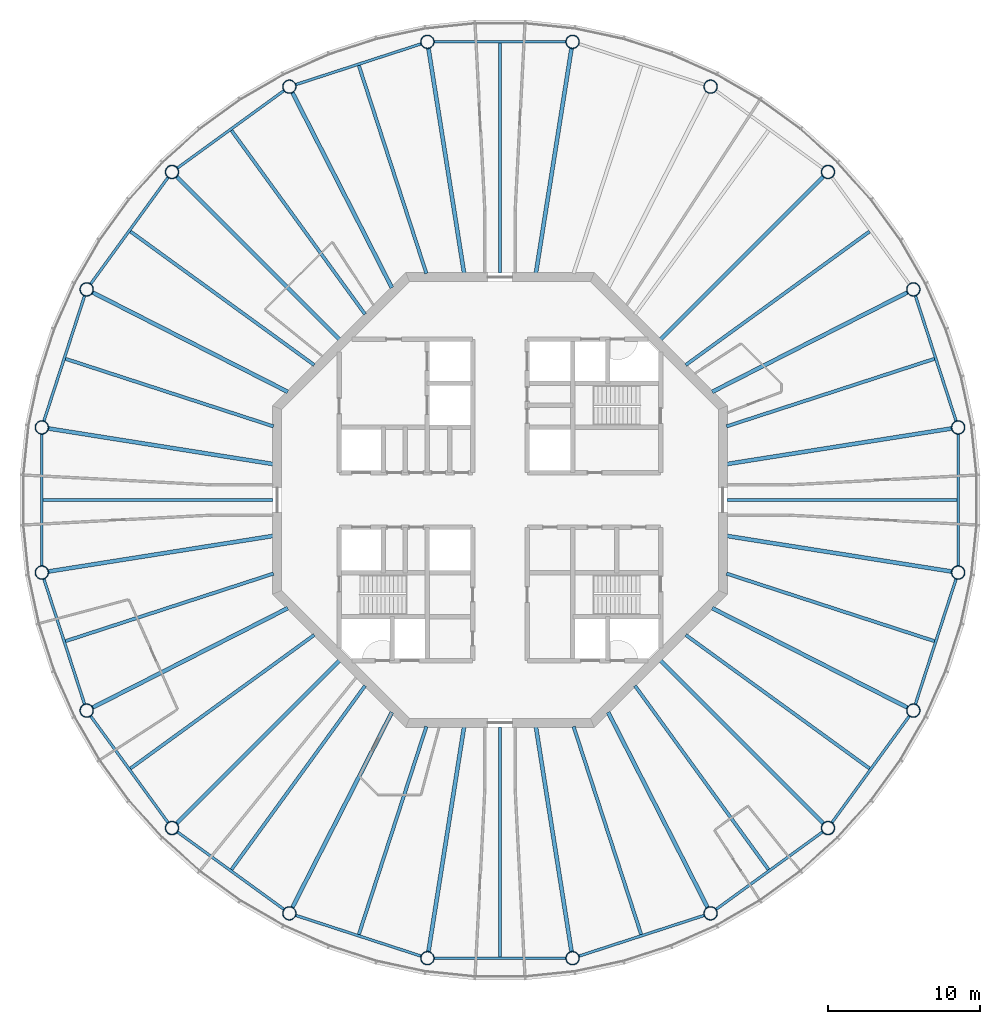
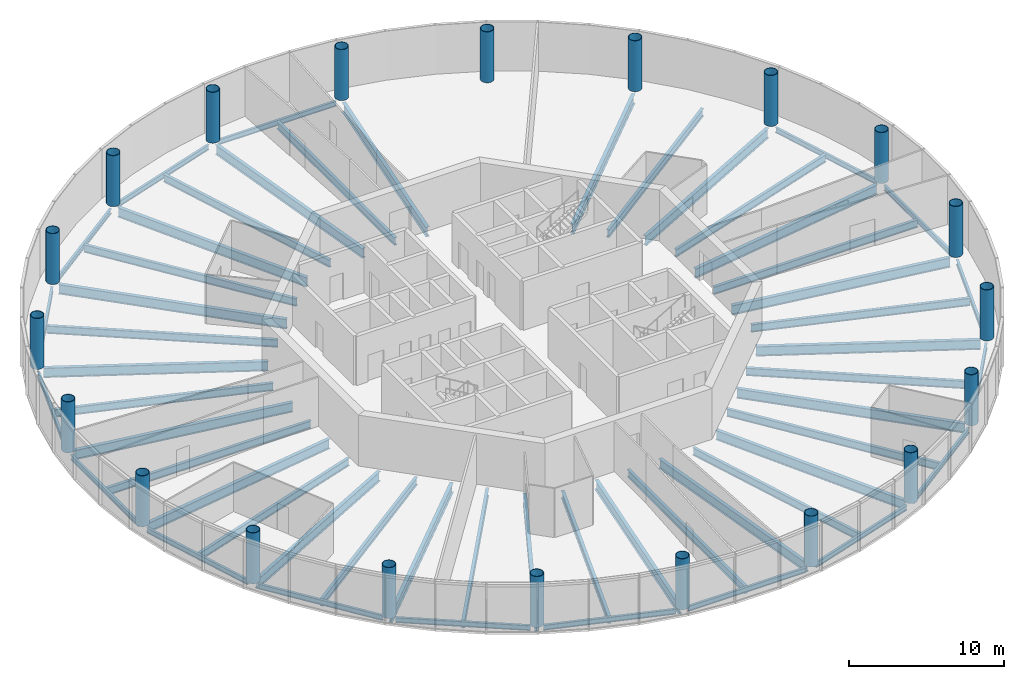
# One storey, part 1 of 13: 54 beams, 20 columns.
"""IFC4 building model written with IfcOpenShell, lengths in metres."""

from ifc_helpers import new_model, si_unit, direction, frame, origin, origin_2d, place, context, subcontext, project, spatial, circle, hollow_circle, i_section, extrude, material, material_profile, profile_set, type_object, element, save


model = new_model("IFC4")

# Units and contexts
model_context = context("Model", 3, precision=1e-05, world=origin(), true_north=direction((0.0, 1.0)))
body_context = subcontext(model_context, "Body", "Model", "MODEL_VIEW")
ifc_project = project(units=[si_unit("LENGTHUNIT", "METRE"), si_unit("AREAUNIT", "SQUARE_METRE"), si_unit("VOLUMEUNIT", "CUBIC_METRE"), si_unit("PLANEANGLEUNIT", "RADIAN"), si_unit("MASSUNIT", "GRAM", prefix="KILO")], contexts=[model_context])

# Site, building, storey
site_placement = place(None, origin())
site = spatial("IfcSite", under=ifc_project, at=site_placement, CompositionType="ELEMENT")
building_placement = place(site_placement, origin())
building = spatial("IfcBuilding", under=site, at=building_placement, Name="Entoto Ring Tower", CompositionType="ELEMENT")
storey_placement = place(building_placement, frame((0.0, 0.0, 376.0)))
storey = spatial("IfcBuildingStorey", under=building, at=storey_placement, Name="L87", CompositionType="ELEMENT", Elevation=376.0)

# Columns
ifc_material_1 = material(Name="Steel S355", Category="steel")
ifc_material_profile_1 = material_profile(ifc_material_1, hollow_circle(Radius=0.449951171875, WallThickness=0.0400390625, at=origin_2d()), Name="CHS 900 x 40")
ifc_material_2 = material(Name="Concrete C60/75", Category="concrete")
ifc_material_profile_2 = material_profile(ifc_material_2, circle(Radius=0.409912109375, at=origin_2d()), Name="Concrete C60/75 infill")
ifc_profile_set_1 = profile_set([ifc_material_profile_1, ifc_material_profile_2], Name="Steel S355")
column_type = type_object("IfcColumnType", Name="Ring column 900 x 40 concrete-filled tube", PredefinedType="COLUMN", material=ifc_profile_set_1)
for number, where, z_axis, x_axis, name in (
    (1, (120.22314453125, 84.786865234375, 0.0), (0.0, 0.0, 1.0), (1.0, 0.0, 0.0), "RC6 R01"),
    (2, (117.264892578125, 93.89208984375, 0.0), (0.0, 0.0, 1.0), (1.0, 0.0, 0.0), "RC6 R02"),
    (3, (111.637451171875, 101.637451171875, 0.0), (0.0, 0.0, 1.0), (1.0, 0.0, 0.0), "RC6 R03"),
    (4, (103.89208984375, 107.264892578125, 0.0), (0.0, 0.0, 1.0), (1.0, 0.0, 0.0), "RC6 R04"),
    (5, (94.786865234375, 110.22314453125, 0.0), (0.0, 0.0, 1.0), (1.0, 0.0, 0.0), "RC6 R05"),
    (6, (85.213134765625, 110.22314453125, 0.0), (0.0, 0.0, 1.0), (1.0, 0.0, 0.0), "RC6 R06"),
    (7, (76.10791015625, 107.264892578125, 0.0), (0.0, 0.0, 1.0), (1.0, 0.0, 0.0), "RC6 R07"),
    (8, (68.362548828125, 101.637451171875, 0.0), (0.0, 0.0, 1.0), (1.0, 0.0, 0.0), "RC6 R08"),
    (9, (62.735107421875, 93.89208984375, 0.0), (0.0, 0.0, 1.0), (1.0, 0.0, 0.0), "RC6 R09"),
    (10, (59.77685546875, 84.786865234375, 0.0), (0.0, 0.0, 1.0), (1.0, 0.0, 0.0), "RC6 R10"),
    (11, (59.77685546875, 75.213134765625, 0.0), (0.0, 0.0, 1.0), (1.0, 0.0, 0.0), "RC6 R11"),
    (12, (62.735107421875, 66.10791015625, 0.0), (0.0, 0.0, 1.0), (1.0, 0.0, 0.0), "RC6 R12"),
    (13, (68.362548828125, 58.362548828125, 0.0), (0.0, 0.0, 1.0), (1.0, 0.0, 0.0), "RC6 R13"),
    (14, (76.10791015625, 52.735107421875, 0.0), (0.0, 0.0, 1.0), (1.0, 0.0, 0.0), "RC6 R14"),
    (15, (85.213134765625, 49.77685546875, 0.0), (0.0, 0.0, 1.0), (1.0, 0.0, 0.0), "RC6 R15"),
    (16, (94.786865234375, 49.77685546875, 0.0), (0.0, 0.0, 1.0), (1.0, 0.0, 0.0), "RC6 R16"),
    (17, (103.89208984375, 52.735107421875, 0.0), (0.0, 0.0, 1.0), (1.0, 0.0, 0.0), "RC6 R17"),
    (18, (111.637451171875, 58.362548828125, 0.0), (0.0, 0.0, 1.0), (1.0, 0.0, 0.0), "RC6 R18"),
    (19, (117.264892578125, 66.10791015625, 0.0), (0.0, 0.0, 1.0), (1.0, 0.0, 0.0), "RC6 R19"),
    (20, (120.22314453125, 75.213134765625, 0.0), (0.0, 0.0, 1.0), (1.0, 0.0, 0.0), "RC6 R20"),
):
    element("IfcColumn", number, at=place(storey_placement, frame(where, z_axis=z_axis, x_axis=x_axis)), inside=storey, type_object=column_type, Name=name, PredefinedType="COLUMN", context=body_context, shape_type="SweptSolid", body=[
        extrude(hollow_circle(Radius=0.449951171875, WallThickness=0.0400390625, at=origin_2d()), origin(), (0.0, 0.0, 1.0), 4.0),
    ])

# Beams
ifc_material_3 = material(Name="Steel S355", Category="steel")
ifc_material_profile_3 = material_profile(ifc_material_3, i_section(OverallWidth=0.179931640625, OverallDepth=0.39990234375, WebThickness=0.008544921875, FlangeThickness=0.013427734375, FilletRadius=0.02099609375, at=origin_2d()), Name="IPE 400")
ifc_profile_set_2 = profile_set([ifc_material_profile_3], Name="Steel S355")
beam_type_1 = type_object("IfcBeamType", Name="Edge beam IPE 400", PredefinedType="SPANDREL", material=ifc_profile_set_2)
beam_1_placement = place(storey_placement, frame((120.09326171875, 85.187255859375, -0.35009765625), z_axis=(-0.309030438368, 0.951052147972, 0.0), x_axis=(-0.951052147972, -0.309030438368, 0.0)))
element("IfcBeam", 21, at=beam_1_placement, inside=storey, type_object=beam_type_1, Name="Edge beam L87 01", PredefinedType="SPANDREL", context=body_context, shape_type="SweptSolid", body=[
    extrude(i_section(OverallWidth=0.179931640625, OverallDepth=0.39990234375, WebThickness=0.008544921875, FlangeThickness=0.013427734375, FilletRadius=0.02099609375, at=origin_2d()), origin(), (0.0, 0.0, 1.0), 8.732177734375),
])
beam_2_placement = place(storey_placement, frame((94.365966796875, 110.22314453125, -0.35009765625), z_axis=(-1.0, 0.0, 0.0), x_axis=(0.0, -1.0, 0.0)))
element("IfcBeam", 22, at=beam_2_placement, inside=storey, type_object=beam_type_1, Name="Edge beam L87 05", PredefinedType="SPANDREL", context=body_context, shape_type="SweptSolid", body=[
    extrude(i_section(OverallWidth=0.179931640625, OverallDepth=0.39990234375, WebThickness=0.008544921875, FlangeThickness=0.013427734375, FilletRadius=0.02099609375, at=origin_2d()), origin(), (0.0, 0.0, 1.0), 8.73193359375),
])
beam_3_placement = place(storey_placement, frame((84.812744140625, 110.09326171875, -0.35009765625), z_axis=(-0.951052147972, -0.309030438368, 0.0), x_axis=(0.309030438368, -0.951052147972, 0.0)))
element("IfcBeam", 23, at=beam_3_placement, inside=storey, type_object=beam_type_1, Name="Edge beam L87 06", PredefinedType="SPANDREL", context=body_context, shape_type="SweptSolid", body=[
    extrude(i_section(OverallWidth=0.179931640625, OverallDepth=0.39990234375, WebThickness=0.008544921875, FlangeThickness=0.013427734375, FilletRadius=0.02099609375, at=origin_2d()), origin(), (0.0, 0.0, 1.0), 8.732177734375),
])
for number, where, z_axis, x_axis, name in (
    (24, (75.767333984375, 107.017333984375, -0.35009765625), (-0.80901045354, -0.587794254874, 0.0), (0.587794254874, -0.80901045354, 0.0), "Edge beam L87 07"),
    (25, (68.115234375, 101.296875, -0.35009765625), (-0.587794254874, -0.80901045354, 0.0), (0.80901045354, -0.587794254874, 0.0), "Edge beam L87 08"),
):
    element("IfcBeam", number, at=place(storey_placement, frame(where, z_axis=z_axis, x_axis=x_axis)), inside=storey, type_object=beam_type_1, Name=name, PredefinedType="SPANDREL", context=body_context, shape_type="SweptSolid", body=[
        extrude(i_section(OverallWidth=0.179931640625, OverallDepth=0.39990234375, WebThickness=0.008544921875, FlangeThickness=0.013427734375, FilletRadius=0.02099609375, at=origin_2d()), origin(), (0.0, 0.0, 1.0), 8.73193359375),
    ])
beam_4_placement = place(storey_placement, frame((62.605224609375, 93.491943359375, -0.35009765625), z_axis=(-0.309030438368, -0.951052147972, 0.0), x_axis=(0.951052147972, -0.309030438368, 0.0)))
element("IfcBeam", 26, at=beam_4_placement, inside=storey, type_object=beam_type_1, Name="Edge beam L87 09", PredefinedType="SPANDREL", context=body_context, shape_type="SweptSolid", body=[
    extrude(i_section(OverallWidth=0.179931640625, OverallDepth=0.39990234375, WebThickness=0.008544921875, FlangeThickness=0.013427734375, FilletRadius=0.02099609375, at=origin_2d()), origin(), (0.0, 0.0, 1.0), 8.732177734375),
])
beam_5_placement = place(storey_placement, frame((59.77685546875, 84.365966796875, -0.35009765625), z_axis=(0.0, -1.0, 0.0), x_axis=(1.0, 0.0, 0.0)))
element("IfcBeam", 27, at=beam_5_placement, inside=storey, type_object=beam_type_1, Name="Edge beam L87 10", PredefinedType="SPANDREL", context=body_context, shape_type="SweptSolid", body=[
    extrude(i_section(OverallWidth=0.179931640625, OverallDepth=0.39990234375, WebThickness=0.008544921875, FlangeThickness=0.013427734375, FilletRadius=0.02099609375, at=origin_2d()), origin(), (0.0, 0.0, 1.0), 8.73193359375),
])
beam_6_placement = place(storey_placement, frame((59.90673828125, 74.812744140625, -0.35009765625), z_axis=(0.309030438368, -0.951052147972, 0.0), x_axis=(0.951052147972, 0.309030438368, 0.0)))
element("IfcBeam", 28, at=beam_6_placement, inside=storey, type_object=beam_type_1, Name="Edge beam L87 11", PredefinedType="SPANDREL", context=body_context, shape_type="SweptSolid", body=[
    extrude(i_section(OverallWidth=0.179931640625, OverallDepth=0.39990234375, WebThickness=0.008544921875, FlangeThickness=0.013427734375, FilletRadius=0.02099609375, at=origin_2d()), origin(), (0.0, 0.0, 1.0), 8.732177734375),
])
for number, where, z_axis, x_axis, name in (
    (29, (62.982666015625, 65.767333984375, -0.35009765625), (0.587794254874, -0.80901045354, 0.0), (0.80901045354, 0.587794254874, 0.0), "Edge beam L87 12"),
    (30, (68.703125, 58.115234375, -0.35009765625), (0.80901045354, -0.587794254874, 0.0), (0.587794254874, 0.80901045354, 0.0), "Edge beam L87 13"),
):
    element("IfcBeam", number, at=place(storey_placement, frame(where, z_axis=z_axis, x_axis=x_axis)), inside=storey, type_object=beam_type_1, Name=name, PredefinedType="SPANDREL", context=body_context, shape_type="SweptSolid", body=[
        extrude(i_section(OverallWidth=0.179931640625, OverallDepth=0.39990234375, WebThickness=0.008544921875, FlangeThickness=0.013427734375, FilletRadius=0.02099609375, at=origin_2d()), origin(), (0.0, 0.0, 1.0), 8.73193359375),
    ])
beam_7_placement = place(storey_placement, frame((76.508056640625, 52.605224609375, -0.35009765625), z_axis=(0.951052147972, -0.309030438368, 0.0), x_axis=(0.309030438368, 0.951052147972, 0.0)))
element("IfcBeam", 31, at=beam_7_placement, inside=storey, type_object=beam_type_1, Name="Edge beam L87 14", PredefinedType="SPANDREL", context=body_context, shape_type="SweptSolid", body=[
    extrude(i_section(OverallWidth=0.179931640625, OverallDepth=0.39990234375, WebThickness=0.008544921875, FlangeThickness=0.013427734375, FilletRadius=0.02099609375, at=origin_2d()), origin(), (0.0, 0.0, 1.0), 8.732177734375),
])
beam_8_placement = place(storey_placement, frame((85.634033203125, 49.77685546875, -0.35009765625), z_axis=(1.0, 0.0, 0.0), x_axis=(0.0, 1.0, 0.0)))
element("IfcBeam", 32, at=beam_8_placement, inside=storey, type_object=beam_type_1, Name="Edge beam L87 15", PredefinedType="SPANDREL", context=body_context, shape_type="SweptSolid", body=[
    extrude(i_section(OverallWidth=0.179931640625, OverallDepth=0.39990234375, WebThickness=0.008544921875, FlangeThickness=0.013427734375, FilletRadius=0.02099609375, at=origin_2d()), origin(), (0.0, 0.0, 1.0), 8.73193359375),
])
beam_9_placement = place(storey_placement, frame((95.187255859375, 49.90673828125, -0.35009765625), z_axis=(0.951052147972, 0.309030438368, 0.0), x_axis=(-0.309030438368, 0.951052147972, 0.0)))
element("IfcBeam", 33, at=beam_9_placement, inside=storey, type_object=beam_type_1, Name="Edge beam L87 16", PredefinedType="SPANDREL", context=body_context, shape_type="SweptSolid", body=[
    extrude(i_section(OverallWidth=0.179931640625, OverallDepth=0.39990234375, WebThickness=0.008544921875, FlangeThickness=0.013427734375, FilletRadius=0.02099609375, at=origin_2d()), origin(), (0.0, 0.0, 1.0), 8.732177734375),
])
for number, where, z_axis, x_axis, name in (
    (34, (104.232666015625, 52.982666015625, -0.35009765625), (0.80901045354, 0.587794254874, 0.0), (-0.587794254874, 0.80901045354, 0.0), "Edge beam L87 17"),
    (35, (111.884765625, 58.703125, -0.35009765625), (0.587794254874, 0.80901045354, 0.0), (-0.80901045354, 0.587794254874, 0.0), "Edge beam L87 18"),
):
    element("IfcBeam", number, at=place(storey_placement, frame(where, z_axis=z_axis, x_axis=x_axis)), inside=storey, type_object=beam_type_1, Name=name, PredefinedType="SPANDREL", context=body_context, shape_type="SweptSolid", body=[
        extrude(i_section(OverallWidth=0.179931640625, OverallDepth=0.39990234375, WebThickness=0.008544921875, FlangeThickness=0.013427734375, FilletRadius=0.02099609375, at=origin_2d()), origin(), (0.0, 0.0, 1.0), 8.73193359375),
    ])
beam_10_placement = place(storey_placement, frame((117.394775390625, 66.508056640625, -0.35009765625), z_axis=(0.309030438368, 0.951052147972, 0.0), x_axis=(-0.951052147972, 0.309030438368, 0.0)))
element("IfcBeam", 36, at=beam_10_placement, inside=storey, type_object=beam_type_1, Name="Edge beam L87 19", PredefinedType="SPANDREL", context=body_context, shape_type="SweptSolid", body=[
    extrude(i_section(OverallWidth=0.179931640625, OverallDepth=0.39990234375, WebThickness=0.008544921875, FlangeThickness=0.013427734375, FilletRadius=0.02099609375, at=origin_2d()), origin(), (0.0, 0.0, 1.0), 8.732177734375),
])
beam_11_placement = place(storey_placement, frame((120.22314453125, 75.634033203125, -0.35009765625), z_axis=(0.0, 1.0, 0.0), x_axis=(-1.0, 0.0, 0.0)))
element("IfcBeam", 37, at=beam_11_placement, inside=storey, type_object=beam_type_1, Name="Edge beam L87 20", PredefinedType="SPANDREL", context=body_context, shape_type="SweptSolid", body=[
    extrude(i_section(OverallWidth=0.179931640625, OverallDepth=0.39990234375, WebThickness=0.008544921875, FlangeThickness=0.013427734375, FilletRadius=0.02099609375, at=origin_2d()), origin(), (0.0, 0.0, 1.0), 8.73193359375),
])
ifc_material_4 = material(Name="Steel S355", Category="steel")
ifc_material_profile_4 = material_profile(ifc_material_4, i_section(OverallWidth=0.262939453125, OverallDepth=0.7529296875, WebThickness=0.011474609375, FlangeThickness=0.01708984375, FilletRadius=0.01708984375, at=origin_2d()), Name="IPE 750 x 137")
ifc_profile_set_3 = profile_set([ifc_material_profile_4], Name="Steel S355")
beam_type_2 = type_object("IfcBeamType", Name="Primary floor beam IPE 750 x 137", PredefinedType="BEAM", material=ifc_profile_set_3)
beam_12_placement = place(storey_placement, frame((104.959716796875, 82.369384765625, -0.526611328125), z_axis=(0.987688638122, 0.156432586517, 0.0), x_axis=(-0.156432586517, 0.987688638122, 0.0)))
element("IfcBeam", 38, at=beam_12_placement, inside=storey, type_object=beam_type_2, Name="Primary L87 R01", PredefinedType="BEAM", context=body_context, shape_type="SweptSolid", body=[
    extrude(i_section(OverallWidth=0.262939453125, OverallDepth=0.7529296875, WebThickness=0.011474609375, FlangeThickness=0.01708984375, FilletRadius=0.01708984375, at=origin_2d()), origin(), (0.0, 0.0, 1.0), 15.04345703125),
])
beam_13_placement = place(storey_placement, frame((103.9970703125, 87.1318359375, -0.526611328125), z_axis=(0.89100578373, 0.453991952968, 0.0), x_axis=(-0.453991952968, 0.89100578373, 0.0)))
element("IfcBeam", 39, at=beam_13_placement, inside=storey, type_object=beam_type_2, Name="Primary L87 R02", PredefinedType="BEAM", context=body_context, shape_type="SweptSolid", body=[
    extrude(i_section(OverallWidth=0.262939453125, OverallDepth=0.7529296875, WebThickness=0.011474609375, FlangeThickness=0.01708984375, FilletRadius=0.01708984375, at=origin_2d()), origin(), (0.0, 0.0, 1.0), 14.48046875),
])
beam_14_placement = place(storey_placement, frame((100.592529296875, 90.592529296875, -0.526611328125), z_axis=(0.707106781187, 0.707106781187, 0.0), x_axis=(-0.707106781187, 0.707106781187, 0.0)))
element("IfcBeam", 40, at=beam_14_placement, inside=storey, type_object=beam_type_2, Name="Primary L87 R03", PredefinedType="BEAM", context=body_context, shape_type="SweptSolid", body=[
    extrude(i_section(OverallWidth=0.262939453125, OverallDepth=0.7529296875, WebThickness=0.011474609375, FlangeThickness=0.01708984375, FilletRadius=0.01708984375, at=origin_2d()), origin(), (0.0, 0.0, 1.0), 15.209716796875),
])
for number, where, z_axis, x_axis, name in (
    (41, (92.369384765625, 94.959716796875, -0.526611328125), (0.156432586517, 0.987688638122, 0.0), (-0.987688638122, 0.156432586517, 0.0), "Primary L87 R05"),
    (42, (87.630615234375, 94.959716796875, -0.526611328125), (-0.156432586517, 0.987688638122, 0.0), (-0.987688638122, -0.156432586517, 0.0), "Primary L87 R06"),
):
    element("IfcBeam", number, at=place(storey_placement, frame(where, z_axis=z_axis, x_axis=x_axis)), inside=storey, type_object=beam_type_2, Name=name, PredefinedType="BEAM", context=body_context, shape_type="SweptSolid", body=[
        extrude(i_section(OverallWidth=0.262939453125, OverallDepth=0.7529296875, WebThickness=0.011474609375, FlangeThickness=0.01708984375, FilletRadius=0.01708984375, at=origin_2d()), origin(), (0.0, 0.0, 1.0), 15.04345703125),
    ])
beam_15_placement = place(storey_placement, frame((82.8681640625, 93.9970703125, -0.526611328125), z_axis=(-0.453991952968, 0.89100578373, 0.0), x_axis=(-0.89100578373, -0.453991952968, 0.0)))
element("IfcBeam", 43, at=beam_15_placement, inside=storey, type_object=beam_type_2, Name="Primary L87 R07", PredefinedType="BEAM", context=body_context, shape_type="SweptSolid", body=[
    extrude(i_section(OverallWidth=0.262939453125, OverallDepth=0.7529296875, WebThickness=0.011474609375, FlangeThickness=0.01708984375, FilletRadius=0.01708984375, at=origin_2d()), origin(), (0.0, 0.0, 1.0), 14.48046875),
])
beam_16_placement = place(storey_placement, frame((79.407470703125, 90.592529296875, -0.526611328125), z_axis=(-0.707106781187, 0.707106781187, 0.0), x_axis=(-0.707106781187, -0.707106781187, 0.0)))
element("IfcBeam", 44, at=beam_16_placement, inside=storey, type_object=beam_type_2, Name="Primary L87 R08", PredefinedType="BEAM", context=body_context, shape_type="SweptSolid", body=[
    extrude(i_section(OverallWidth=0.262939453125, OverallDepth=0.7529296875, WebThickness=0.011474609375, FlangeThickness=0.01708984375, FilletRadius=0.01708984375, at=origin_2d()), origin(), (0.0, 0.0, 1.0), 15.209716796875),
])
beam_17_placement = place(storey_placement, frame((76.0029296875, 87.1318359375, -0.526611328125), z_axis=(-0.89100578373, 0.453991952968, 0.0), x_axis=(-0.453991952968, -0.89100578373, 0.0)))
element("IfcBeam", 45, at=beam_17_placement, inside=storey, type_object=beam_type_2, Name="Primary L87 R09", PredefinedType="BEAM", context=body_context, shape_type="SweptSolid", body=[
    extrude(i_section(OverallWidth=0.262939453125, OverallDepth=0.7529296875, WebThickness=0.011474609375, FlangeThickness=0.01708984375, FilletRadius=0.01708984375, at=origin_2d()), origin(), (0.0, 0.0, 1.0), 14.48046875),
])
for number, where, z_axis, x_axis, name in (
    (46, (75.040283203125, 82.369384765625, -0.526611328125), (-0.987688638122, 0.156432586517, 0.0), (-0.156432586517, -0.987688638122, 0.0), "Primary L87 R10"),
    (47, (75.040283203125, 77.630615234375, -0.526611328125), (-0.987688638122, -0.156432586517, 0.0), (0.156432586517, -0.987688638122, 0.0), "Primary L87 R11"),
):
    element("IfcBeam", number, at=place(storey_placement, frame(where, z_axis=z_axis, x_axis=x_axis)), inside=storey, type_object=beam_type_2, Name=name, PredefinedType="BEAM", context=body_context, shape_type="SweptSolid", body=[
        extrude(i_section(OverallWidth=0.262939453125, OverallDepth=0.7529296875, WebThickness=0.011474609375, FlangeThickness=0.01708984375, FilletRadius=0.01708984375, at=origin_2d()), origin(), (0.0, 0.0, 1.0), 15.04345703125),
    ])
beam_18_placement = place(storey_placement, frame((76.0029296875, 72.8681640625, -0.526611328125), z_axis=(-0.89100578373, -0.453991952968, 0.0), x_axis=(0.453991952968, -0.89100578373, 0.0)))
element("IfcBeam", 48, at=beam_18_placement, inside=storey, type_object=beam_type_2, Name="Primary L87 R12", PredefinedType="BEAM", context=body_context, shape_type="SweptSolid", body=[
    extrude(i_section(OverallWidth=0.262939453125, OverallDepth=0.7529296875, WebThickness=0.011474609375, FlangeThickness=0.01708984375, FilletRadius=0.01708984375, at=origin_2d()), origin(), (0.0, 0.0, 1.0), 14.48046875),
])
beam_19_placement = place(storey_placement, frame((79.407470703125, 69.407470703125, -0.526611328125), z_axis=(-0.707106781187, -0.707106781187, 0.0), x_axis=(0.707106781187, -0.707106781187, 0.0)))
element("IfcBeam", 49, at=beam_19_placement, inside=storey, type_object=beam_type_2, Name="Primary L87 R13", PredefinedType="BEAM", context=body_context, shape_type="SweptSolid", body=[
    extrude(i_section(OverallWidth=0.262939453125, OverallDepth=0.7529296875, WebThickness=0.011474609375, FlangeThickness=0.01708984375, FilletRadius=0.01708984375, at=origin_2d()), origin(), (0.0, 0.0, 1.0), 15.209716796875),
])
beam_20_placement = place(storey_placement, frame((82.8681640625, 66.0029296875, -0.526611328125), z_axis=(-0.453991952968, -0.89100578373, 0.0), x_axis=(0.89100578373, -0.453991952968, 0.0)))
element("IfcBeam", 50, at=beam_20_placement, inside=storey, type_object=beam_type_2, Name="Primary L87 R14", PredefinedType="BEAM", context=body_context, shape_type="SweptSolid", body=[
    extrude(i_section(OverallWidth=0.262939453125, OverallDepth=0.7529296875, WebThickness=0.011474609375, FlangeThickness=0.01708984375, FilletRadius=0.01708984375, at=origin_2d()), origin(), (0.0, 0.0, 1.0), 14.48046875),
])
for number, where, z_axis, x_axis, name in (
    (51, (87.630615234375, 65.040283203125, -0.526611328125), (-0.156432586517, -0.987688638122, 0.0), (0.987688638122, -0.156432586517, 0.0), "Primary L87 R15"),
    (52, (92.369384765625, 65.040283203125, -0.526611328125), (0.156432586517, -0.987688638122, 0.0), (0.987688638122, 0.156432586517, 0.0), "Primary L87 R16"),
):
    element("IfcBeam", number, at=place(storey_placement, frame(where, z_axis=z_axis, x_axis=x_axis)), inside=storey, type_object=beam_type_2, Name=name, PredefinedType="BEAM", context=body_context, shape_type="SweptSolid", body=[
        extrude(i_section(OverallWidth=0.262939453125, OverallDepth=0.7529296875, WebThickness=0.011474609375, FlangeThickness=0.01708984375, FilletRadius=0.01708984375, at=origin_2d()), origin(), (0.0, 0.0, 1.0), 15.04345703125),
    ])
beam_21_placement = place(storey_placement, frame((97.1318359375, 66.0029296875, -0.526611328125), z_axis=(0.453991952968, -0.89100578373, 0.0), x_axis=(0.89100578373, 0.453991952968, 0.0)))
element("IfcBeam", 53, at=beam_21_placement, inside=storey, type_object=beam_type_2, Name="Primary L87 R17", PredefinedType="BEAM", context=body_context, shape_type="SweptSolid", body=[
    extrude(i_section(OverallWidth=0.262939453125, OverallDepth=0.7529296875, WebThickness=0.011474609375, FlangeThickness=0.01708984375, FilletRadius=0.01708984375, at=origin_2d()), origin(), (0.0, 0.0, 1.0), 14.48046875),
])
beam_22_placement = place(storey_placement, frame((100.592529296875, 69.407470703125, -0.526611328125), z_axis=(0.707106781187, -0.707106781187, 0.0), x_axis=(0.707106781187, 0.707106781187, 0.0)))
element("IfcBeam", 54, at=beam_22_placement, inside=storey, type_object=beam_type_2, Name="Primary L87 R18", PredefinedType="BEAM", context=body_context, shape_type="SweptSolid", body=[
    extrude(i_section(OverallWidth=0.262939453125, OverallDepth=0.7529296875, WebThickness=0.011474609375, FlangeThickness=0.01708984375, FilletRadius=0.01708984375, at=origin_2d()), origin(), (0.0, 0.0, 1.0), 15.209716796875),
])
beam_23_placement = place(storey_placement, frame((103.9970703125, 72.8681640625, -0.526611328125), z_axis=(0.89100578373, -0.453991952968, 0.0), x_axis=(0.453991952968, 0.89100578373, 0.0)))
element("IfcBeam", 55, at=beam_23_placement, inside=storey, type_object=beam_type_2, Name="Primary L87 R19", PredefinedType="BEAM", context=body_context, shape_type="SweptSolid", body=[
    extrude(i_section(OverallWidth=0.262939453125, OverallDepth=0.7529296875, WebThickness=0.011474609375, FlangeThickness=0.01708984375, FilletRadius=0.01708984375, at=origin_2d()), origin(), (0.0, 0.0, 1.0), 14.48046875),
])
beam_24_placement = place(storey_placement, frame((104.959716796875, 77.630615234375, -0.526611328125), z_axis=(0.987688638122, -0.156432586517, 0.0), x_axis=(0.156432586517, 0.987688638122, 0.0)))
element("IfcBeam", 56, at=beam_24_placement, inside=storey, type_object=beam_type_2, Name="Primary L87 R20", PredefinedType="BEAM", context=body_context, shape_type="SweptSolid", body=[
    extrude(i_section(OverallWidth=0.262939453125, OverallDepth=0.7529296875, WebThickness=0.011474609375, FlangeThickness=0.01708984375, FilletRadius=0.01708984375, at=origin_2d()), origin(), (0.0, 0.0, 1.0), 15.04345703125),
])
ifc_material_5 = material(Name="Steel S355", Category="steel")
ifc_material_profile_5 = material_profile(ifc_material_5, i_section(OverallWidth=0.219970703125, OverallDepth=0.60009765625, WebThickness=0.011962890625, FlangeThickness=0.01904296875, FilletRadius=0.02392578125, at=origin_2d()), Name="IPE 600")
ifc_profile_set_4 = profile_set([ifc_material_profile_5], Name="Steel S355")
beam_type_3 = type_object("IfcBeamType", Name="Secondary floor beam IPE 600", PredefinedType="JOIST", material=ifc_profile_set_4)
beam_25_placement = place(storey_placement, frame((104.947021484375, 84.856689453125, -0.449951171875), z_axis=(0.951057212949, 0.309014850288, 0.0), x_axis=(-0.309014850288, 0.951057212949, 0.0)))
element("IfcBeam", 57, at=beam_25_placement, inside=storey, type_object=beam_type_3, Name="Secondary beam L87 01", PredefinedType="JOIST", context=body_context, shape_type="SweptSolid", body=[
    extrude(i_section(OverallWidth=0.219970703125, OverallDepth=0.60009765625, WebThickness=0.011962890625, FlangeThickness=0.01904296875, FilletRadius=0.02392578125, at=origin_2d()), origin(), (0.0, 0.0, 1.0), 14.4169921875),
])
beam_26_placement = place(storey_placement, frame((102.25634765625, 88.90478515625, -0.449951171875), z_axis=(0.809019238239, 0.587782163866, 0.0), x_axis=(-0.587782163866, 0.809019238239, 0.0)))
element("IfcBeam", 58, at=beam_26_placement, inside=storey, type_object=beam_type_3, Name="Secondary beam L87 02", PredefinedType="JOIST", context=body_context, shape_type="SweptSolid", body=[
    extrude(i_section(OverallWidth=0.219970703125, OverallDepth=0.60009765625, WebThickness=0.011962890625, FlangeThickness=0.01904296875, FilletRadius=0.02392578125, at=origin_2d()), origin(), (0.0, 0.0, 1.0), 14.983642578125),
])
beam_27_placement = place(storey_placement, frame((90.0, 94.97998046875, -0.449951171875), z_axis=(0.0, 1.0, 0.0), x_axis=(-1.0, 0.0, 0.0)))
element("IfcBeam", 59, at=beam_27_placement, inside=storey, type_object=beam_type_3, Name="Secondary beam L87 05", PredefinedType="JOIST", context=body_context, shape_type="SweptSolid", body=[
    extrude(i_section(OverallWidth=0.219970703125, OverallDepth=0.60009765625, WebThickness=0.011962890625, FlangeThickness=0.01904296875, FilletRadius=0.02392578125, at=origin_2d()), origin(), (0.0, 0.0, 1.0), 15.1533203125),
])
beam_28_placement = place(storey_placement, frame((85.143310546875, 94.947021484375, -0.449951171875), z_axis=(-0.309014850288, 0.951057212949, 0.0), x_axis=(-0.951057212949, -0.309014850288, 0.0)))
element("IfcBeam", 60, at=beam_28_placement, inside=storey, type_object=beam_type_3, Name="Secondary beam L87 06", PredefinedType="JOIST", context=body_context, shape_type="SweptSolid", body=[
    extrude(i_section(OverallWidth=0.219970703125, OverallDepth=0.60009765625, WebThickness=0.011962890625, FlangeThickness=0.01904296875, FilletRadius=0.02392578125, at=origin_2d()), origin(), (0.0, 0.0, 1.0), 14.4169921875),
])
for number, where, z_axis, x_axis, name in (
    (61, (81.09521484375, 92.25634765625, -0.449951171875), (-0.587782163866, 0.809019238239, 0.0), (-0.809019238239, -0.587782163866, 0.0), "Secondary beam L87 07"),
    (62, (77.74365234375, 88.90478515625, -0.449951171875), (-0.809019238239, 0.587782163866, 0.0), (-0.587782163866, -0.809019238239, 0.0), "Secondary beam L87 08"),
):
    element("IfcBeam", number, at=place(storey_placement, frame(where, z_axis=z_axis, x_axis=x_axis)), inside=storey, type_object=beam_type_3, Name=name, PredefinedType="JOIST", context=body_context, shape_type="SweptSolid", body=[
        extrude(i_section(OverallWidth=0.219970703125, OverallDepth=0.60009765625, WebThickness=0.011962890625, FlangeThickness=0.01904296875, FilletRadius=0.02392578125, at=origin_2d()), origin(), (0.0, 0.0, 1.0), 14.983642578125),
    ])
beam_29_placement = place(storey_placement, frame((75.052978515625, 84.856689453125, -0.449951171875), z_axis=(-0.951057212949, 0.309014850288, 0.0), x_axis=(-0.309014850288, -0.951057212949, 0.0)))
element("IfcBeam", 63, at=beam_29_placement, inside=storey, type_object=beam_type_3, Name="Secondary beam L87 09", PredefinedType="JOIST", context=body_context, shape_type="SweptSolid", body=[
    extrude(i_section(OverallWidth=0.219970703125, OverallDepth=0.60009765625, WebThickness=0.011962890625, FlangeThickness=0.01904296875, FilletRadius=0.02392578125, at=origin_2d()), origin(), (0.0, 0.0, 1.0), 14.4169921875),
])
beam_30_placement = place(storey_placement, frame((75.02001953125, 80.0, -0.449951171875), z_axis=(-1.0, 0.0, 0.0), x_axis=(0.0, -1.0, 0.0)))
element("IfcBeam", 64, at=beam_30_placement, inside=storey, type_object=beam_type_3, Name="Secondary beam L87 10", PredefinedType="JOIST", context=body_context, shape_type="SweptSolid", body=[
    extrude(i_section(OverallWidth=0.219970703125, OverallDepth=0.60009765625, WebThickness=0.011962890625, FlangeThickness=0.01904296875, FilletRadius=0.02392578125, at=origin_2d()), origin(), (0.0, 0.0, 1.0), 15.1533203125),
])
beam_31_placement = place(storey_placement, frame((75.052978515625, 75.143310546875, -0.449951171875), z_axis=(-0.951057212949, -0.309014850288, 0.0), x_axis=(0.309014850288, -0.951057212949, 0.0)))
element("IfcBeam", 65, at=beam_31_placement, inside=storey, type_object=beam_type_3, Name="Secondary beam L87 11", PredefinedType="JOIST", context=body_context, shape_type="SweptSolid", body=[
    extrude(i_section(OverallWidth=0.219970703125, OverallDepth=0.60009765625, WebThickness=0.011962890625, FlangeThickness=0.01904296875, FilletRadius=0.02392578125, at=origin_2d()), origin(), (0.0, 0.0, 1.0), 14.4169921875),
])
for number, where, z_axis, x_axis, name in (
    (66, (77.74365234375, 71.09521484375, -0.449951171875), (-0.809019238239, -0.587782163866, 0.0), (0.587782163866, -0.809019238239, 0.0), "Secondary beam L87 12"),
    (67, (81.09521484375, 67.74365234375, -0.449951171875), (-0.587782163866, -0.809019238239, 0.0), (0.809019238239, -0.587782163866, 0.0), "Secondary beam L87 13"),
):
    element("IfcBeam", number, at=place(storey_placement, frame(where, z_axis=z_axis, x_axis=x_axis)), inside=storey, type_object=beam_type_3, Name=name, PredefinedType="JOIST", context=body_context, shape_type="SweptSolid", body=[
        extrude(i_section(OverallWidth=0.219970703125, OverallDepth=0.60009765625, WebThickness=0.011962890625, FlangeThickness=0.01904296875, FilletRadius=0.02392578125, at=origin_2d()), origin(), (0.0, 0.0, 1.0), 14.983642578125),
    ])
beam_32_placement = place(storey_placement, frame((85.143310546875, 65.052978515625, -0.449951171875), z_axis=(-0.309014850288, -0.951057212949, 0.0), x_axis=(0.951057212949, -0.309014850288, 0.0)))
element("IfcBeam", 68, at=beam_32_placement, inside=storey, type_object=beam_type_3, Name="Secondary beam L87 14", PredefinedType="JOIST", context=body_context, shape_type="SweptSolid", body=[
    extrude(i_section(OverallWidth=0.219970703125, OverallDepth=0.60009765625, WebThickness=0.011962890625, FlangeThickness=0.01904296875, FilletRadius=0.02392578125, at=origin_2d()), origin(), (0.0, 0.0, 1.0), 14.4169921875),
])
beam_33_placement = place(storey_placement, frame((90.0, 65.02001953125, -0.449951171875), z_axis=(0.0, -1.0, 0.0), x_axis=(1.0, 0.0, 0.0)))
element("IfcBeam", 69, at=beam_33_placement, inside=storey, type_object=beam_type_3, Name="Secondary beam L87 15", PredefinedType="JOIST", context=body_context, shape_type="SweptSolid", body=[
    extrude(i_section(OverallWidth=0.219970703125, OverallDepth=0.60009765625, WebThickness=0.011962890625, FlangeThickness=0.01904296875, FilletRadius=0.02392578125, at=origin_2d()), origin(), (0.0, 0.0, 1.0), 15.1533203125),
])
beam_34_placement = place(storey_placement, frame((94.856689453125, 65.052978515625, -0.449951171875), z_axis=(0.309014850288, -0.951057212949, 0.0), x_axis=(0.951057212949, 0.309014850288, 0.0)))
element("IfcBeam", 70, at=beam_34_placement, inside=storey, type_object=beam_type_3, Name="Secondary beam L87 16", PredefinedType="JOIST", context=body_context, shape_type="SweptSolid", body=[
    extrude(i_section(OverallWidth=0.219970703125, OverallDepth=0.60009765625, WebThickness=0.011962890625, FlangeThickness=0.01904296875, FilletRadius=0.02392578125, at=origin_2d()), origin(), (0.0, 0.0, 1.0), 14.4169921875),
])
for number, where, z_axis, x_axis, name in (
    (71, (98.90478515625, 67.74365234375, -0.449951171875), (0.587782163866, -0.809019238239, 0.0), (0.809019238239, 0.587782163866, 0.0), "Secondary beam L87 17"),
    (72, (102.25634765625, 71.09521484375, -0.449951171875), (0.809019238239, -0.587782163866, 0.0), (0.587782163866, 0.809019238239, 0.0), "Secondary beam L87 18"),
):
    element("IfcBeam", number, at=place(storey_placement, frame(where, z_axis=z_axis, x_axis=x_axis)), inside=storey, type_object=beam_type_3, Name=name, PredefinedType="JOIST", context=body_context, shape_type="SweptSolid", body=[
        extrude(i_section(OverallWidth=0.219970703125, OverallDepth=0.60009765625, WebThickness=0.011962890625, FlangeThickness=0.01904296875, FilletRadius=0.02392578125, at=origin_2d()), origin(), (0.0, 0.0, 1.0), 14.983642578125),
    ])
beam_35_placement = place(storey_placement, frame((104.947021484375, 75.143310546875, -0.449951171875), z_axis=(0.951057212949, -0.309014850288, 0.0), x_axis=(0.309014850288, 0.951057212949, 0.0)))
element("IfcBeam", 73, at=beam_35_placement, inside=storey, type_object=beam_type_3, Name="Secondary beam L87 19", PredefinedType="JOIST", context=body_context, shape_type="SweptSolid", body=[
    extrude(i_section(OverallWidth=0.219970703125, OverallDepth=0.60009765625, WebThickness=0.011962890625, FlangeThickness=0.01904296875, FilletRadius=0.02392578125, at=origin_2d()), origin(), (0.0, 0.0, 1.0), 14.4169921875),
])
beam_36_placement = place(storey_placement, frame((104.97998046875, 80.0, -0.449951171875), z_axis=(1.0, 0.0, 0.0), x_axis=(0.0, 1.0, 0.0)))
element("IfcBeam", 74, at=beam_36_placement, inside=storey, type_object=beam_type_3, Name="Secondary beam L87 20", PredefinedType="JOIST", context=body_context, shape_type="SweptSolid", body=[
    extrude(i_section(OverallWidth=0.219970703125, OverallDepth=0.60009765625, WebThickness=0.011962890625, FlangeThickness=0.01904296875, FilletRadius=0.02392578125, at=origin_2d()), origin(), (0.0, 0.0, 1.0), 15.1533203125),
])

save(model, "model.ifc")
